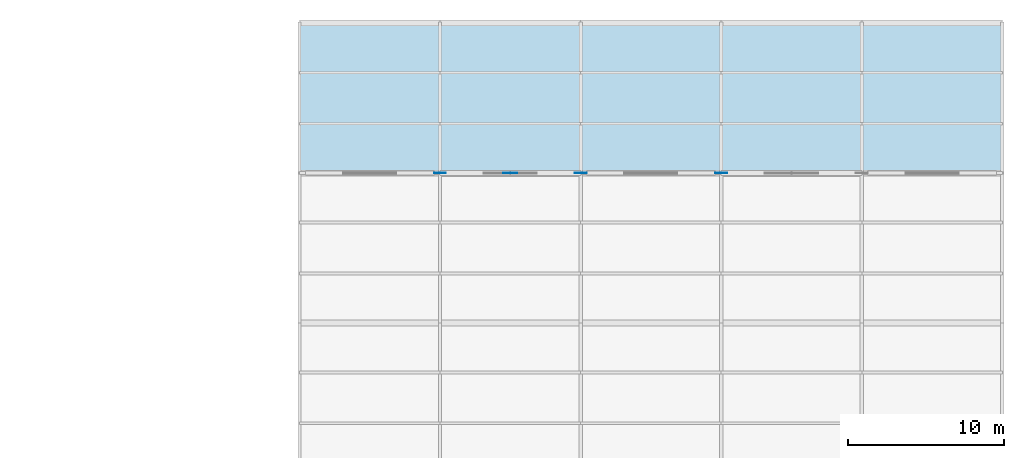
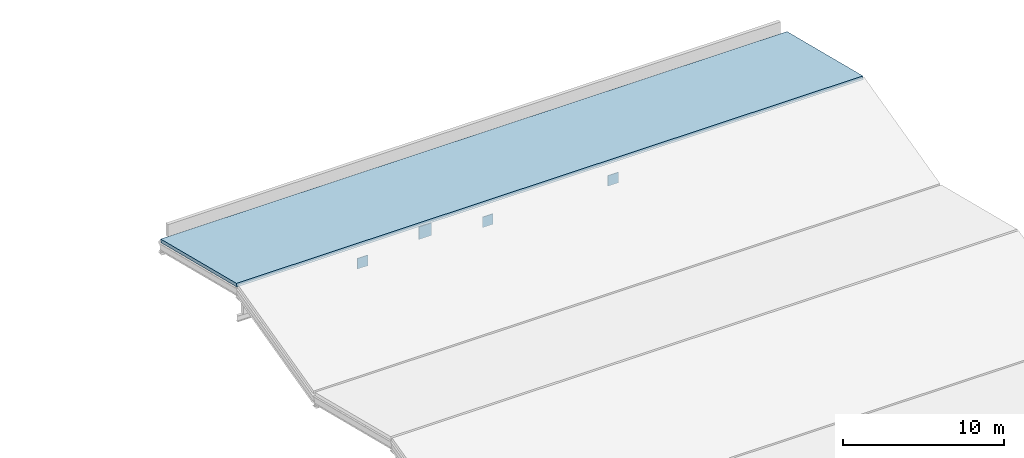
# One storey, part 22 of 36: 4 plates, 1 slab.
"""IFC4 building model written with IfcOpenShell, lengths in metres."""

from ifc_helpers import new_model, si_unit, direction, frame, origin, origin_2d, place, context, subcontext, project, spatial, polyline, rectangle, outline, extrude, material, layer, layer_set, type_object, element, save


model = new_model("IFC4")

# Units and contexts
model_context = context("Model", 3, precision=1e-05, world=origin(), true_north=direction((0.0, 1.0)))
body_context = subcontext(model_context, "Body", "Model", "MODEL_VIEW")
ifc_project = project(units=[si_unit("LENGTHUNIT", "METRE"), si_unit("AREAUNIT", "SQUARE_METRE"), si_unit("VOLUMEUNIT", "CUBIC_METRE"), si_unit("PLANEANGLEUNIT", "RADIAN"), si_unit("MASSUNIT", "GRAM", prefix="KILO")], contexts=[model_context])

# Site, building, storey
site_placement = place(None, origin())
site = spatial("IfcSite", under=ifc_project, at=site_placement, CompositionType="ELEMENT")
building_placement = place(site_placement, origin())
building = spatial("IfcBuilding", under=site, at=building_placement, Name="Qorvath Tower", CompositionType="ELEMENT")
storey_placement = place(building_placement, frame((0.0, 0.0, 27.0)))
storey = spatial("IfcBuildingStorey", under=building, at=storey_placement, Name="L05", CompositionType="ELEMENT", Elevation=27.0)

# Plates
ifc_material_1 = material(Name="Steel ASTM A572 Grade 50", Category="steel")
ifc_layer_1 = layer(ifc_material_1, 0.044921875)
ifc_layer_set_1 = layer_set([ifc_layer_1], Name="PL-LFN1")
plate_type = type_object("IfcPlateType", Name="PL-LFN1", PredefinedType="USERDEFINED", material=ifc_layer_set_1)
plate_placement = place(storey_placement, frame((45.89990234375, 28.800048828125, 1.1884765625), z_axis=(0.0, 0.0, 1.0), x_axis=(1.0, 0.0, 0.0)))
element("IfcPlate", 1, at=plate_placement, inside=storey, type_object=plate_type, Name="Library Roof Truss Node Gusset 8-1", ObjectType="GUSSET", PredefinedType="USERDEFINED", context=body_context, shape_type="SweptSolid", body=[
    extrude(rectangle(XDim=0.89990234375, YDim=0.044921875, at=origin_2d()), origin(), (0.0, 0.0, 1.0), 0.949951171875),
])
for number, where, z_axis, x_axis, name in (
    (2, (41.39990234375, 28.800048828125, 0.49365234375), (0.0, 0.0, 1.0), (1.0, 0.0, 0.0), "Brace Strut End Gusset Plate NDBG-156"),
    (3, (50.39990234375, 28.800048828125, 0.49365234375), (0.0, 0.0, 1.0), (1.0, 0.0, 0.0), "Brace Strut End Gusset Plate NDBG-157"),
    (4, (59.39990234375, 28.800048828125, 0.49365234375), (0.0, 0.0, 1.0), (1.0, 0.0, 0.0), "Brace Strut End Gusset Plate NDBG-158"),
):
    element("IfcPlate", number, at=place(storey_placement, frame(where, z_axis=z_axis, x_axis=x_axis)), inside=storey, type_object=plate_type, Name=name, ObjectType="GUSSET", PredefinedType="USERDEFINED", context=body_context, shape_type="SweptSolid", body=[
        extrude(rectangle(XDim=0.75, YDim=0.044921875, at=origin_2d()), origin(), (0.0, 0.0, 1.0), 0.800048828125),
    ])

# Slab
ifc_material_2 = material(Name="Concrete C45/55", Category="concrete")
ifc_layer_2 = layer(ifc_material_2, 0.25)
ifc_layer_set_2 = layer_set([ifc_layer_2], Name="SL-LIB-RF-250")
slab_type = type_object("IfcSlabType", Name="SL-LIB-RF-250", PredefinedType="ROOF", material=ifc_layer_set_2)
slab_placement = place(storey_placement, frame((32.39990234375, 28.8798828125, 2.37353515625), z_axis=(0.0, 0.241903801416, 0.970300237484), x_axis=(1.0, 0.0, 0.0)))
element("IfcSlab", 5, at=slab_placement, inside=storey, type_object=slab_type, Name="Library Folded-Plate Roof Facet 8", PredefinedType="ROOF", context=body_context, shape_type="SweptSolid", body=[
    extrude(outline(polyline([(0.0, 0.0), (45.0, 0.0), (45.0, 9.729138654400337), (0.0, 9.729138654400337), (0.0, 0.0)])), origin(), (0.0, 0.0, -1.0), 0.25),
])

save(model, "model.ifc")
